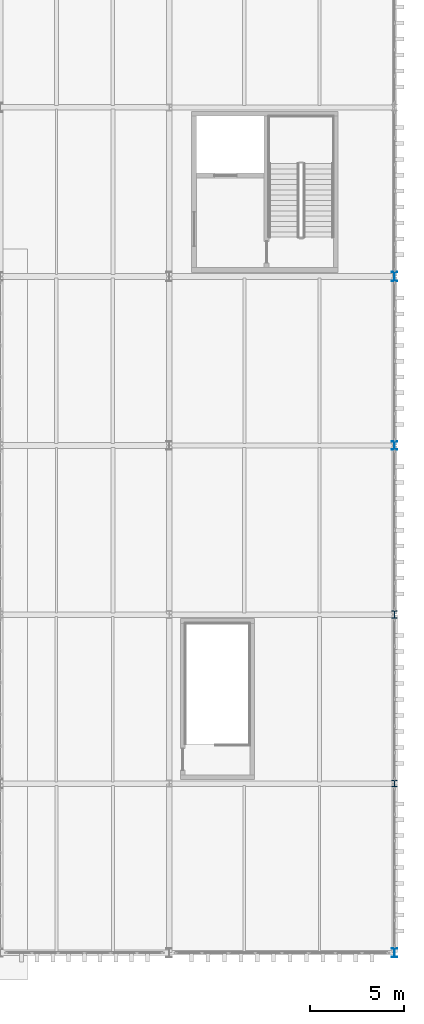
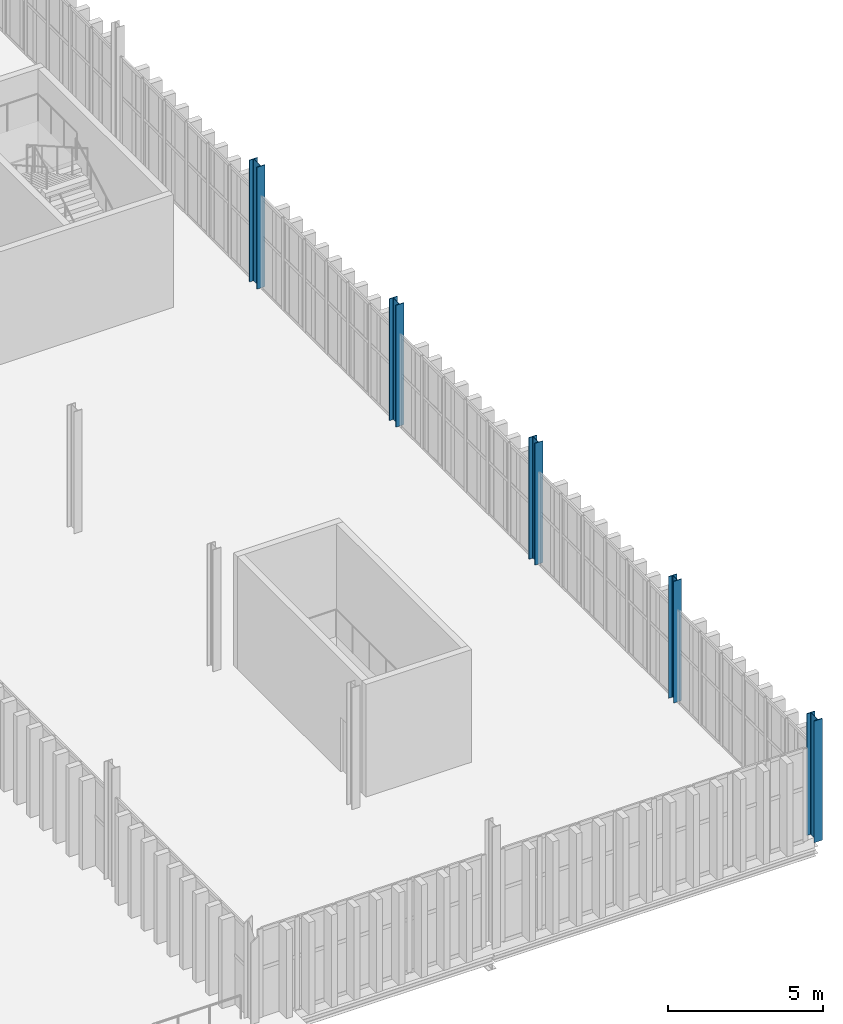
# One storey, part 11 of 196: 5 columns.
"""IFC4 building model written with IfcOpenShell, lengths in metres."""

from ifc_helpers import new_model, si_unit, direction, frame, origin, origin_2d, place, context, subcontext, project, spatial, i_section, extrude, material, material_profile, profile_set, type_object, element, save


model = new_model("IFC4")

# Units and contexts
model_context = context("Model", 3, precision=1e-05, world=origin(), true_north=direction((0.0, 1.0)))
body_context = subcontext(model_context, "Body", "Model", "MODEL_VIEW")
ifc_project = project(units=[si_unit("LENGTHUNIT", "METRE"), si_unit("AREAUNIT", "SQUARE_METRE"), si_unit("VOLUMEUNIT", "CUBIC_METRE"), si_unit("PLANEANGLEUNIT", "RADIAN"), si_unit("MASSUNIT", "GRAM", prefix="KILO")], contexts=[model_context])

# Site, building, storey
site_placement = place(None, origin())
site = spatial("IfcSite", under=ifc_project, at=site_placement, CompositionType="ELEMENT")
building_placement = place(site_placement, origin())
building = spatial("IfcBuilding", under=site, at=building_placement, Name="Barlavento Convention Centre", CompositionType="ELEMENT")
storey_placement = place(building_placement, frame((0.0, 0.0, 18.0)))
storey = spatial("IfcBuildingStorey", under=building, at=storey_placement, Name="L03", CompositionType="ELEMENT", Elevation=18.0)

# Columns
ifc_material = material(Name="Steel S355", Category="steel")
ifc_material_profile_1 = material_profile(ifc_material, i_section(OverallWidth=0.300048828125, OverallDepth=0.340087890625, WebThickness=0.011962890625, FlangeThickness=0.021484375, FilletRadius=0.027099609375, at=origin_2d()), Name="HEB 340")
ifc_profile_set_1 = profile_set([ifc_material_profile_1], Name="Steel S355")
column_type_1 = type_object("IfcColumnType", Name="STR-COL-HEB340", PredefinedType="COLUMN", material=ifc_profile_set_1)
column_1_placement = place(storey_placement, frame((192.0, 9.0, 0.0), z_axis=(0.0, 0.0, 1.0), x_axis=(1.0, 0.0, 0.0)))
element("IfcColumn", 1, at=column_1_placement, inside=storey, type_object=column_type_1, Name="L03 column SC12", PredefinedType="COLUMN", context=body_context, shape_type="SweptSolid", body=[
    extrude(i_section(OverallWidth=0.300048828125, OverallDepth=0.340087890625, WebThickness=0.011962890625, FlangeThickness=0.021484375, FilletRadius=0.027099609375, at=origin_2d()), origin(), (0.0, 0.0, 1.0), 4.800048828125),
])
ifc_material_profile_2 = material_profile(ifc_material, i_section(OverallWidth=0.300048828125, OverallDepth=0.39990234375, WebThickness=0.013427734375, FlangeThickness=0.02392578125, FilletRadius=0.027099609375, at=origin_2d()), Name="HEB 400")
ifc_profile_set_2 = profile_set([ifc_material_profile_2], Name="Steel S355")
column_type_2 = type_object("IfcColumnType", Name="STR-COL-HEB400", PredefinedType="COLUMN", material=ifc_profile_set_2)
column_2_placement = place(storey_placement, frame((192.0, 18.0, 0.0), z_axis=(0.0, 0.0, 1.0), x_axis=(1.0, 0.0, 0.0)))
element("IfcColumn", 2, at=column_2_placement, inside=storey, type_object=column_type_2, Name="L03 column SC11", PredefinedType="COLUMN", context=body_context, shape_type="SweptSolid", body=[
    extrude(i_section(OverallWidth=0.300048828125, OverallDepth=0.39990234375, WebThickness=0.013427734375, FlangeThickness=0.02392578125, FilletRadius=0.027099609375, at=origin_2d()), origin(), (0.0, 0.0, 1.0), 4.800048828125),
])
ifc_material_profile_3 = material_profile(ifc_material, i_section(OverallWidth=0.300048828125, OverallDepth=0.449951171875, WebThickness=0.013916015625, FlangeThickness=0.02587890625, FilletRadius=0.027099609375, at=origin_2d()), Name="HEB 450")
ifc_profile_set_3 = profile_set([ifc_material_profile_3], Name="Steel S355")
column_type_3 = type_object("IfcColumnType", Name="STR-COL-HEB450", PredefinedType="COLUMN", material=ifc_profile_set_3)
column_3_placement = place(storey_placement, frame((192.0, 27.0, 0.0), z_axis=(0.0, 0.0, 1.0), x_axis=(1.0, 0.0, 0.0)))
element("IfcColumn", 3, at=column_3_placement, inside=storey, type_object=column_type_3, Name="L03 column SC10", PredefinedType="COLUMN", context=body_context, shape_type="SweptSolid", body=[
    extrude(i_section(OverallWidth=0.300048828125, OverallDepth=0.449951171875, WebThickness=0.013916015625, FlangeThickness=0.02587890625, FilletRadius=0.027099609375, at=origin_2d()), origin(), (0.0, 0.0, 1.0), 4.800048828125),
])
ifc_material_profile_4 = material_profile(ifc_material, i_section(OverallWidth=0.300048828125, OverallDepth=0.5, WebThickness=0.014404296875, FlangeThickness=0.028076171875, FilletRadius=0.027099609375, at=origin_2d()), Name="HEB 500")
ifc_profile_set_4 = profile_set([ifc_material_profile_4], Name="Steel S355")
column_type_4 = type_object("IfcColumnType", Name="STR-COL-HEB500", PredefinedType="COLUMN", material=ifc_profile_set_4)
for number, where, z_axis, x_axis, name in (
    (4, (192.0, 0.0, 0.0), (0.0, 0.0, 1.0), (1.0, 0.0, 0.0), "L03 column SC09"),
    (5, (192.0, 36.0, 0.0), (0.0, 0.0, 1.0), (1.0, 0.0, 0.0), "L03 column SC09"),
):
    element("IfcColumn", number, at=place(storey_placement, frame(where, z_axis=z_axis, x_axis=x_axis)), inside=storey, type_object=column_type_4, Name=name, PredefinedType="COLUMN", context=body_context, shape_type="SweptSolid", body=[
        extrude(i_section(OverallWidth=0.300048828125, OverallDepth=0.5, WebThickness=0.014404296875, FlangeThickness=0.028076171875, FilletRadius=0.027099609375, at=origin_2d()), origin(), (0.0, 0.0, 1.0), 4.800048828125),
    ])

save(model, "model.ifc")
